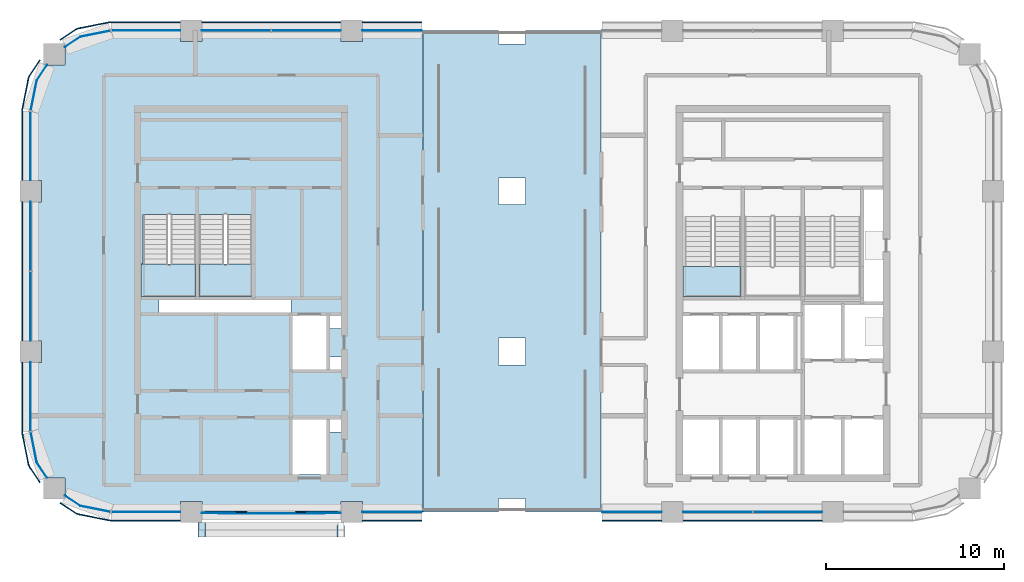
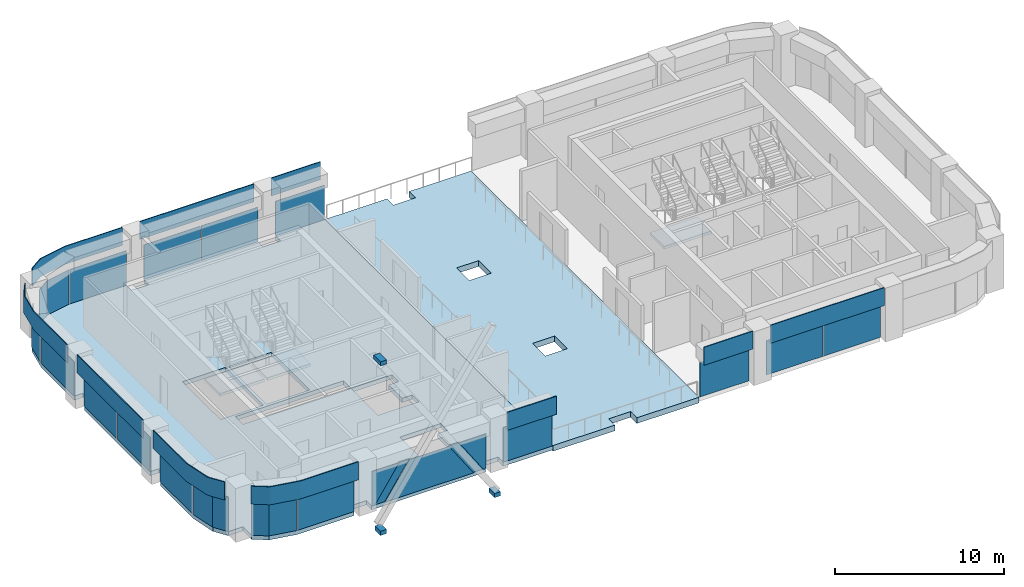
# One storey, part 4 of 11: 32 plates, 5 slabs, 3 members, 14 elements without a shape of their own.
"""IFC4 building model written with IfcOpenShell, lengths in metres."""

from ifc_helpers import new_model, si_unit, direction, frame, origin, origin_2d, place, context, subcontext, project, spatial, polyline, rectangle, outline, extrude, material, layer, layer_set, type_object, element, aggregate, save


model = new_model("IFC4")

# Units and contexts
model_context = context("Model", 3, precision=1e-05, world=origin(), true_north=direction((0.0, 1.0)))
body_context = subcontext(model_context, "Body", "Model", "MODEL_VIEW")
ifc_project = project(units=[si_unit("LENGTHUNIT", "METRE"), si_unit("AREAUNIT", "SQUARE_METRE"), si_unit("VOLUMEUNIT", "CUBIC_METRE"), si_unit("PLANEANGLEUNIT", "RADIAN"), si_unit("MASSUNIT", "GRAM", prefix="KILO")], contexts=[model_context])

# Site, building, storey
site_placement = place(None, origin())
site = spatial("IfcSite", under=ifc_project, at=site_placement, CompositionType="ELEMENT")
building_placement = place(site_placement, origin())
building = spatial("IfcBuilding", under=site, at=building_placement, Name="Tessera Arch", CompositionType="ELEMENT")
storey_placement = place(building_placement, frame((0.0, 0.0, 203.300048828125)))
storey = spatial("IfcBuildingStorey", under=building, at=storey_placement, Name="L48", CompositionType="ELEMENT", Elevation=203.300048828125)

# Members
ifc_material_1 = material(Name="Steel A572 Gr50", Category="steel")
ifc_layer_1 = layer(ifc_material_1, 0.050048828125)
ifc_layer_set_1 = layer_set([ifc_layer_1], Name="Node block Steel A572 Gr50")
member_type = type_object("IfcMemberType", Name="Node block Steel A572 Gr50", PredefinedType="PLATE", material=ifc_layer_set_1)
for number, where, z_axis, x_axis, name in (
    (1, (17.39990234375, 25.918701171875, -1.2333984375), (0.0, 0.0, 1.0), (1.0, 0.0, 0.0), "Node block seat S27.0-0 1 L48"),
    (2, (9.60009765625, 25.918701171875, -1.2333984375), (0.0, 0.0, 1.0), (1.0, 0.0, 0.0), "Node block seat S27.0-0 2 L48"),
):
    element("IfcMember", number, at=place(storey_placement, frame(where, z_axis=z_axis, x_axis=x_axis)), inside=storey, type_object=member_type, Name=name, PredefinedType="PLATE", context=body_context, shape_type="SweptSolid", body=[
        extrude(rectangle(XDim=0.406494140625, YDim=0.662841796875, at=origin_2d()), origin(), (0.0, 0.0, 1.0), 0.300048828125),
    ])
member_placement = place(storey_placement, frame((9.60009765625, 25.99365234375, 11.033203125), z_axis=(0.0, 0.0, 1.0), x_axis=(1.0, 0.0, 0.0)))
element("IfcMember", 3, at=member_placement, inside=storey, type_object=member_type, Name="Node block head S27.0-0 B L48", PredefinedType="PLATE", context=body_context, shape_type="SweptSolid", body=[
    extrude(rectangle(XDim=0.406494140625, YDim=0.812744140625, at=origin_2d()), origin(), (0.0, 0.0, 1.0), 0.300048828125),
])

# Curtain wall, plate
ifc_material_2 = material(Name="CW1 curtain wall")
curtain_wall_type_1 = type_object("IfcCurtainWallType", Name="CW1 curtain wall", PredefinedType="NOTDEFINED", material=ifc_material_2)
curtain_wall_1_placement = place(storey_placement, origin())
curtain_wall_1 = element("IfcCurtainWall", 4, at=curtain_wall_1_placement, inside=storey, type_object=curtain_wall_type_1, Name="CW1 curtain wall S27.0/1 L48", PredefinedType="NOTDEFINED")
ifc_material_3 = material(Name="Clear low-e glass", Category="glass")
ifc_material_4 = material(Name="Clear low-e glass", Category="glass")
ifc_layer_2 = layer(ifc_material_4, 0.028076171875)
ifc_layer_set_2 = layer_set([ifc_layer_2], Name="CW1 glass panel")
plate_type_1 = type_object("IfcPlateType", Name="CW1 glass panel", PredefinedType="CURTAIN_PANEL", material=ifc_layer_set_2)
plate_1_placement = place(storey_placement, frame((20.27490234375, 27.0, 0.0), z_axis=(0.0, 0.0, 1.0), x_axis=(1.0, 0.0, 0.0)))
plate_1 = element("IfcPlate", 5, at=plate_1_placement, type_object=plate_type_1, material=ifc_material_3, Name="CW1 glass panel S27.0/1 1.1.1", PredefinedType="CURTAIN_PANEL", context=body_context, shape_type="SweptSolid", body=[
    extrude(rectangle(XDim=3.35009765625, YDim=0.028076171875, at=origin_2d()), origin(), (0.0, 0.0, 1.0), 2.5),
])

curtain_wall_2_placement = place(storey_placement, origin())
curtain_wall_2 = element("IfcCurtainWall", 6, at=curtain_wall_2_placement, inside=storey, type_object=curtain_wall_type_1, Name="CW1 curtain wall N54.0/0 L48", PredefinedType="NOTDEFINED")
plate_2_placement = place(storey_placement, frame((20.27490234375, 54.0, 0.0), z_axis=(0.0, 0.0, 1.0), x_axis=(-1.0, 0.0, 0.0)))
plate_2 = element("IfcPlate", 7, at=plate_2_placement, type_object=plate_type_1, material=ifc_material_3, Name="CW1 glass panel N54.0/0 1.1.1", PredefinedType="CURTAIN_PANEL", context=body_context, shape_type="SweptSolid", body=[
    extrude(rectangle(XDim=3.35009765625, YDim=0.028076171875, at=origin_2d()), origin(), (0.0, 0.0, 1.0), 2.5),
])

# Curtain wall, plates
curtain_wall_3_placement = place(storey_placement, origin())
curtain_wall_3 = element("IfcCurtainWall", 8, at=curtain_wall_3_placement, inside=storey, type_object=curtain_wall_type_1, Name="CW1 curtain wall N54.0/1 L48", PredefinedType="NOTDEFINED")
plate_3_placement = place(storey_placement, frame((15.465087890625, 54.0, 0.0), z_axis=(0.0, 0.0, 1.0), x_axis=(-1.0, 0.0, 0.0)))
plate_3 = element("IfcPlate", 9, at=plate_3_placement, type_object=plate_type_1, material=ifc_material_3, Name="CW1 glass panel N54.0/1 1.1.1", PredefinedType="CURTAIN_PANEL", context=body_context, shape_type="SweptSolid", body=[
    extrude(rectangle(XDim=3.8701171875, YDim=0.028076171875, at=origin_2d()), origin(), (0.0, 0.0, 1.0), 2.5),
])
plate_4_placement = place(storey_placement, frame((11.534912109375, 54.0, 0.0), z_axis=(0.0, 0.0, 1.0), x_axis=(-1.0, 0.0, 0.0)))
plate_4 = element("IfcPlate", 10, at=plate_4_placement, type_object=plate_type_1, material=ifc_material_3, Name="CW1 glass panel N54.0/1 1.2.1", PredefinedType="CURTAIN_PANEL", context=body_context, shape_type="SweptSolid", body=[
    extrude(rectangle(XDim=3.8701171875, YDim=0.028076171875, at=origin_2d()), origin(), (0.0, 0.0, 1.0), 2.5),
])

curtain_wall_4_placement = place(storey_placement, origin())
curtain_wall_4 = element("IfcCurtainWall", 11, at=curtain_wall_4_placement, inside=storey, type_object=curtain_wall_type_1, Name="CW1 curtain wall W0.27/1 L48", PredefinedType="NOTDEFINED")
plate_5_placement = place(storey_placement, frame((0.0, 42.465087890625, 0.0), z_axis=(0.0, 0.0, 1.0), x_axis=(0.0, -1.0, 0.0)))
plate_5 = element("IfcPlate", 12, at=plate_5_placement, type_object=plate_type_1, material=ifc_material_3, Name="CW1 glass panel W0.27/1 1.1.1", PredefinedType="CURTAIN_PANEL", context=body_context, shape_type="SweptSolid", body=[
    extrude(rectangle(XDim=3.8701171875, YDim=0.028076171875, at=origin_2d()), origin(), (0.0, 0.0, 1.0), 2.5),
])
plate_6_placement = place(storey_placement, frame((0.0, 38.534912109375, 0.0), z_axis=(0.0, 0.0, 1.0), x_axis=(0.0, -1.0, 0.0)))
plate_6 = element("IfcPlate", 13, at=plate_6_placement, type_object=plate_type_1, material=ifc_material_3, Name="CW1 glass panel W0.27/1 1.2.1", PredefinedType="CURTAIN_PANEL", context=body_context, shape_type="SweptSolid", body=[
    extrude(rectangle(XDim=3.8701171875, YDim=0.028076171875, at=origin_2d()), origin(), (0.0, 0.0, 1.0), 2.5),
])

# Curtain wall, plate
curtain_wall_5_placement = place(storey_placement, origin())
curtain_wall_5 = element("IfcCurtainWall", 14, at=curtain_wall_5_placement, inside=storey, type_object=curtain_wall_type_1, Name="CW1 curtain wall S27.32/0 L48", PredefinedType="NOTDEFINED")
plate_7_placement = place(storey_placement, frame((33.72509765625, 27.0, 0.0), z_axis=(0.0, 0.0, 1.0), x_axis=(1.0, 0.0, 0.0)))
plate_7 = element("IfcPlate", 15, at=plate_7_placement, type_object=plate_type_1, material=ifc_material_3, Name="CW1 glass panel S27.32/0 1.1.1", PredefinedType="CURTAIN_PANEL", context=body_context, shape_type="SweptSolid", body=[
    extrude(rectangle(XDim=3.35009765625, YDim=0.028076171875, at=origin_2d()), origin(), (0.0, 0.0, 1.0), 2.5),
])

# Curtain wall, plates
curtain_wall_6_placement = place(storey_placement, origin())
curtain_wall_6 = element("IfcCurtainWall", 16, at=curtain_wall_6_placement, inside=storey, type_object=curtain_wall_type_1, Name="CW1 curtain wall S27.32/1 L48", PredefinedType="NOTDEFINED")
plate_8_placement = place(storey_placement, frame((38.534912109375, 27.0, 0.0), z_axis=(0.0, 0.0, 1.0), x_axis=(1.0, 0.0, 0.0)))
plate_8 = element("IfcPlate", 17, at=plate_8_placement, type_object=plate_type_1, material=ifc_material_3, Name="CW1 glass panel S27.32/1 1.1.1", PredefinedType="CURTAIN_PANEL", context=body_context, shape_type="SweptSolid", body=[
    extrude(rectangle(XDim=3.8701171875, YDim=0.028076171875, at=origin_2d()), origin(), (0.0, 0.0, 1.0), 2.5),
])
plate_9_placement = place(storey_placement, frame((42.465087890625, 27.0, 0.0), z_axis=(0.0, 0.0, 1.0), x_axis=(1.0, 0.0, 0.0)))
plate_9 = element("IfcPlate", 18, at=plate_9_placement, type_object=plate_type_1, material=ifc_material_3, Name="CW1 glass panel S27.32/1 1.2.1", PredefinedType="CURTAIN_PANEL", context=body_context, shape_type="SweptSolid", body=[
    extrude(rectangle(XDim=3.8701171875, YDim=0.028076171875, at=origin_2d()), origin(), (0.0, 0.0, 1.0), 2.5),
])

# Plate
ifc_material_5 = material(Name="Pale anodised aluminium panel", Category="aluminium")
ifc_layer_3 = layer(ifc_material_5, 0.06005859375)
ifc_layer_set_3 = layer_set([ifc_layer_3], Name="CW1 spandrel panel")
plate_type_2 = type_object("IfcPlateType", Name="CW1 spandrel panel", PredefinedType="CURTAIN_PANEL", material=ifc_layer_set_3)
plate_10_placement = place(storey_placement, frame((20.27490234375, 26.52001953125, 2.60009765625), z_axis=(0.0, 0.0, 1.0), x_axis=(1.0, 0.0, 0.0)))
plate_10 = element("IfcPlate", 19, at=plate_10_placement, type_object=plate_type_2, Name="CW1 spandrel panel S27.0/1", PredefinedType="CURTAIN_PANEL", context=body_context, shape_type="SweptSolid", body=[
    extrude(rectangle(XDim=3.35009765625, YDim=0.06005859375, at=origin_2d()), origin(), (0.0, 0.0, 1.0), 1.300048828125),
])

aggregate(curtain_wall_1, [plate_1, plate_10])

plate_11_placement = place(storey_placement, frame((20.27490234375, 54.47998046875, 2.60009765625), z_axis=(0.0, 0.0, 1.0), x_axis=(-1.0, 0.0, 0.0)))
plate_11 = element("IfcPlate", 20, at=plate_11_placement, type_object=plate_type_2, Name="CW1 spandrel panel N54.0/0", PredefinedType="CURTAIN_PANEL", context=body_context, shape_type="SweptSolid", body=[
    extrude(rectangle(XDim=3.35009765625, YDim=0.06005859375, at=origin_2d()), origin(), (0.0, 0.0, 1.0), 1.300048828125),
])

aggregate(curtain_wall_2, [plate_2, plate_11])

plate_12_placement = place(storey_placement, frame((13.5, 54.47998046875, 2.60009765625), z_axis=(0.0, 0.0, 1.0), x_axis=(-1.0, 0.0, 0.0)))
plate_12 = element("IfcPlate", 21, at=plate_12_placement, type_object=plate_type_2, Name="CW1 spandrel panel N54.0/1", PredefinedType="CURTAIN_PANEL", context=body_context, shape_type="SweptSolid", body=[
    extrude(rectangle(XDim=7.800048828125, YDim=0.06005859375, at=origin_2d()), origin(), (0.0, 0.0, 1.0), 1.300048828125),
])

aggregate(curtain_wall_3, [plate_3, plate_4, plate_12])

plate_13_placement = place(storey_placement, frame((-0.47998046875, 40.5, 2.60009765625), z_axis=(0.0, 0.0, 1.0), x_axis=(0.0, -1.0, 0.0)))
plate_13 = element("IfcPlate", 22, at=plate_13_placement, type_object=plate_type_2, Name="CW1 spandrel panel W0.27/1", PredefinedType="CURTAIN_PANEL", context=body_context, shape_type="SweptSolid", body=[
    extrude(rectangle(XDim=7.800048828125, YDim=0.06005859375, at=origin_2d()), origin(), (0.0, 0.0, 1.0), 1.300048828125),
])

aggregate(curtain_wall_4, [plate_5, plate_6, plate_13])

plate_14_placement = place(storey_placement, frame((33.72509765625, 26.52001953125, 2.60009765625), z_axis=(0.0, 0.0, 1.0), x_axis=(1.0, 0.0, 0.0)))
plate_14 = element("IfcPlate", 23, at=plate_14_placement, type_object=plate_type_2, Name="CW1 spandrel panel S27.32/0", PredefinedType="CURTAIN_PANEL", context=body_context, shape_type="SweptSolid", body=[
    extrude(rectangle(XDim=3.35009765625, YDim=0.06005859375, at=origin_2d()), origin(), (0.0, 0.0, 1.0), 1.300048828125),
])

aggregate(curtain_wall_5, [plate_7, plate_14])

plate_15_placement = place(storey_placement, frame((40.5, 26.52001953125, 2.60009765625), z_axis=(0.0, 0.0, 1.0), x_axis=(1.0, 0.0, 0.0)))
plate_15 = element("IfcPlate", 24, at=plate_15_placement, type_object=plate_type_2, Name="CW1 spandrel panel S27.32/1", PredefinedType="CURTAIN_PANEL", context=body_context, shape_type="SweptSolid", body=[
    extrude(rectangle(XDim=7.800048828125, YDim=0.06005859375, at=origin_2d()), origin(), (0.0, 0.0, 1.0), 1.300048828125),
])

aggregate(curtain_wall_6, [plate_8, plate_9, plate_15])

# Curtain wall, plates
ifc_material_6 = material(Name="CW2 curtain wall")
curtain_wall_type_2 = type_object("IfcCurtainWallType", Name="CW2 curtain wall", PredefinedType="NOTDEFINED", material=ifc_material_6)
curtain_wall_7_placement = place(storey_placement, origin())
curtain_wall_7 = element("IfcCurtainWall", 25, at=curtain_wall_7_placement, inside=storey, type_object=curtain_wall_type_2, Name="CW2 curtain wall N54.0/2 L48", PredefinedType="NOTDEFINED")
ifc_material_7 = material(Name="Clear low-e glass", Category="glass")
ifc_layer_4 = layer(ifc_material_7, 0.028076171875)
ifc_layer_set_4 = layer_set([ifc_layer_4], Name="CW2 glass panel")
plate_type_3 = type_object("IfcPlateType", Name="CW2 glass panel", PredefinedType="CURTAIN_PANEL", material=ifc_layer_set_4)
plate_16_placement = place(storey_placement, frame((6.469970703125, 54.0, 0.0), z_axis=(0.0, 0.0, 1.0), x_axis=(-1.0, 0.0, 0.0)))
plate_16 = element("IfcPlate", 26, at=plate_16_placement, type_object=plate_type_3, material=ifc_material_3, Name="CW2 glass panel N54.0/2 1.1", PredefinedType="CURTAIN_PANEL", context=body_context, shape_type="SweptSolid", body=[
    extrude(rectangle(XDim=3.860107421875, YDim=0.028076171875, at=origin_2d()), origin(), (0.0, 0.0, 1.0), 2.5),
])
plate_17_placement = place(storey_placement, origin())
plate_17 = element("IfcPlate", 27, at=plate_17_placement, type_object=plate_type_3, material=ifc_material_3, Name="CW2 curved glass panel N54.0/2 2.1", PredefinedType="CURTAIN_PANEL", context=body_context, shape_type="SweptSolid", body=[
    extrude(outline(polyline([(2.783447265625, 53.644287109375), (4.46337890625, 53.978515625), (4.4580078125, 54.005859375), (2.7724609375, 53.670654296875), (1.91015625, 53.094482421875), (1.92578125, 53.0712890625), (2.783447265625, 53.644287109375)])), origin(), (0.0, 0.0, 1.0), 2.5),
])

curtain_wall_8_placement = place(storey_placement, origin())
curtain_wall_8 = element("IfcCurtainWall", 28, at=curtain_wall_8_placement, inside=storey, type_object=curtain_wall_type_2, Name="CW2 curtain wall W0.27/0 L48", PredefinedType="NOTDEFINED")
plate_18_placement = place(storey_placement, frame((0.0, 47.530029296875, 0.0), z_axis=(0.0, 0.0, 1.0), x_axis=(0.0, -1.0, 0.0)))
plate_18 = element("IfcPlate", 29, at=plate_18_placement, type_object=plate_type_3, material=ifc_material_3, Name="CW2 glass panel W0.27/0 1.1", PredefinedType="CURTAIN_PANEL", context=body_context, shape_type="SweptSolid", body=[
    extrude(rectangle(XDim=3.860107421875, YDim=0.028076171875, at=origin_2d()), origin(), (0.0, 0.0, 1.0), 2.5),
])
plate_19_placement = place(storey_placement, origin())
plate_19 = element("IfcPlate", 30, at=plate_19_placement, type_object=plate_type_3, material=ifc_material_3, Name="CW2 curved glass panel W0.27/0 2.1", PredefinedType="CURTAIN_PANEL", context=body_context, shape_type="SweptSolid", body=[
    extrude(outline(polyline([(0.355712890625, 51.216552734375), (0.9287109375, 52.07421875), (0.905517578125, 52.08984375), (0.329345703125, 51.2275390625), (-0.005859375, 49.5419921875), (0.021484375, 49.53662109375), (0.355712890625, 51.216552734375)])), origin(), (0.0, 0.0, 1.0), 2.5),
])

curtain_wall_9_placement = place(storey_placement, origin())
curtain_wall_9 = element("IfcCurtainWall", 31, at=curtain_wall_9_placement, inside=storey, type_object=curtain_wall_type_2, Name="CW2 curtain wall W0.27/2 L48", PredefinedType="NOTDEFINED")
plate_20_placement = place(storey_placement, frame((0.0, 33.469970703125, 0.0), z_axis=(0.0, 0.0, 1.0), x_axis=(0.0, -1.0, 0.0)))
plate_20 = element("IfcPlate", 32, at=plate_20_placement, type_object=plate_type_3, material=ifc_material_3, Name="CW2 glass panel W0.27/2 1.1", PredefinedType="CURTAIN_PANEL", context=body_context, shape_type="SweptSolid", body=[
    extrude(rectangle(XDim=3.860107421875, YDim=0.028076171875, at=origin_2d()), origin(), (0.0, 0.0, 1.0), 2.5),
])
plate_21_placement = place(storey_placement, origin())
plate_21 = element("IfcPlate", 33, at=plate_21_placement, type_object=plate_type_3, material=ifc_material_3, Name="CW2 curved glass panel W0.27/2 2.1", PredefinedType="CURTAIN_PANEL", context=body_context, shape_type="SweptSolid", body=[
    extrude(outline(polyline([(0.355712890625, 29.783447265625), (0.021484375, 31.46337890625), (-0.005859375, 31.4580078125), (0.329345703125, 29.7724609375), (0.905517578125, 28.91015625), (0.9287109375, 28.92578125), (0.355712890625, 29.783447265625)])), origin(), (0.0, 0.0, 1.0), 2.5),
])

curtain_wall_10_placement = place(storey_placement, origin())
curtain_wall_10 = element("IfcCurtainWall", 34, at=curtain_wall_10_placement, inside=storey, type_object=curtain_wall_type_2, Name="CW2 curtain wall S27.0/2 L48", PredefinedType="NOTDEFINED")
plate_22_placement = place(storey_placement, frame((6.469970703125, 27.0, 0.0), z_axis=(0.0, 0.0, 1.0), x_axis=(1.0, 0.0, 0.0)))
plate_22 = element("IfcPlate", 35, at=plate_22_placement, type_object=plate_type_3, material=ifc_material_3, Name="CW2 glass panel S27.0/2 1.1", PredefinedType="CURTAIN_PANEL", context=body_context, shape_type="SweptSolid", body=[
    extrude(rectangle(XDim=3.860107421875, YDim=0.028076171875, at=origin_2d()), origin(), (0.0, 0.0, 1.0), 2.5),
])
plate_23_placement = place(storey_placement, origin())
plate_23 = element("IfcPlate", 36, at=plate_23_placement, type_object=plate_type_3, material=ifc_material_3, Name="CW2 curved glass panel S27.0/2 2.1", PredefinedType="CURTAIN_PANEL", context=body_context, shape_type="SweptSolid", body=[
    extrude(outline(polyline([(2.783447265625, 27.355712890625), (1.92578125, 27.9287109375), (1.91015625, 27.905517578125), (2.7724609375, 27.329345703125), (4.4580078125, 26.994140625), (4.46337890625, 27.021484375), (2.783447265625, 27.355712890625)])), origin(), (0.0, 0.0, 1.0), 2.5),
])

# Plate
ifc_material_8 = material(Name="Pale anodised aluminium panel", Category="aluminium")
ifc_layer_5 = layer(ifc_material_8, 0.06005859375)
ifc_layer_set_5 = layer_set([ifc_layer_5], Name="CW2 spandrel panel")
plate_type_4 = type_object("IfcPlateType", Name="CW2 spandrel panel", PredefinedType="CURTAIN_PANEL", material=ifc_layer_set_5)
plate_24_placement = place(storey_placement, frame((0.0, 0.0, 2.599853515625)))
plate_24 = element("IfcPlate", 37, at=plate_24_placement, type_object=plate_type_4, Name="CW2 spandrel panel N54.0/2", PredefinedType="CURTAIN_PANEL", context=body_context, shape_type="SweptSolid", body=[
    extrude(outline(polyline([(4.500732421875, 54.449951171875), (8.39990234375, 54.449951171875), (8.39990234375, 54.510009765625), (4.499267578125, 54.510009765625), (4.449951171875, 54.507568359375), (4.401123046875, 54.500244140625), (2.677734375, 54.157470703125), (2.6298828125, 54.1455078125), (2.582763671875, 54.128662109375), (2.537353515625, 54.107421875), (2.4951171875, 54.08203125), (1.634765625, 53.5068359375), (1.66796875, 53.45703125), (2.52734375, 54.03125), (2.565673828125, 54.054443359375), (2.605712890625, 54.0732421875), (2.647216796875, 54.088134765625), (2.69091796875, 54.09912109375), (4.411376953125, 54.441162109375), (4.455810546875, 54.44775390625), (4.500732421875, 54.449951171875)])), origin(), (0.0, 0.0, 1.0), 1.300048828125),
])

aggregate(curtain_wall_7, [plate_16, plate_17, plate_24])

plate_25_placement = place(storey_placement, frame((0.0, 0.0, 2.599853515625)))
plate_25 = element("IfcPlate", 38, at=plate_25_placement, type_object=plate_type_4, Name="CW2 spandrel panel W0.27/0", PredefinedType="CURTAIN_PANEL", context=body_context, shape_type="SweptSolid", body=[
    extrude(outline(polyline([(-0.03125, 51.47265625), (0.54296875, 52.33203125), (0.4931640625, 52.365234375), (-0.08203125, 51.5048828125), (-0.107421875, 51.462646484375), (-0.128662109375, 51.417236328125), (-0.1455078125, 51.3701171875), (-0.157470703125, 51.322265625), (-0.500244140625, 49.598876953125), (-0.507568359375, 49.550048828125), (-0.510009765625, 49.500732421875), (-0.510009765625, 45.60009765625), (-0.449951171875, 45.60009765625), (-0.449951171875, 49.499267578125), (-0.44775390625, 49.544189453125), (-0.441162109375, 49.588623046875), (-0.09912109375, 51.30908203125), (-0.088134765625, 51.352783203125), (-0.0732421875, 51.394287109375), (-0.054443359375, 51.434326171875), (-0.03125, 51.47265625)])), origin(), (0.0, 0.0, 1.0), 1.300048828125),
])

aggregate(curtain_wall_8, [plate_18, plate_19, plate_25])

plate_26_placement = place(storey_placement, frame((0.0, 0.0, 2.599853515625)))
plate_26 = element("IfcPlate", 39, at=plate_26_placement, type_object=plate_type_4, Name="CW2 spandrel panel W0.27/2", PredefinedType="CURTAIN_PANEL", context=body_context, shape_type="SweptSolid", body=[
    extrude(outline(polyline([(-0.449951171875, 31.500732421875), (-0.449951171875, 35.39990234375), (-0.510009765625, 35.39990234375), (-0.510009765625, 31.499267578125), (-0.507568359375, 31.449951171875), (-0.500244140625, 31.401123046875), (-0.157470703125, 29.677734375), (-0.1455078125, 29.6298828125), (-0.128662109375, 29.582763671875), (-0.107421875, 29.537353515625), (-0.08203125, 29.4951171875), (0.4931640625, 28.634765625), (0.54296875, 28.66796875), (-0.03125, 29.52734375), (-0.054443359375, 29.565673828125), (-0.0732421875, 29.605712890625), (-0.088134765625, 29.647216796875), (-0.09912109375, 29.69091796875), (-0.441162109375, 31.411376953125), (-0.44775390625, 31.455810546875), (-0.449951171875, 31.500732421875)])), origin(), (0.0, 0.0, 1.0), 1.300048828125),
])

aggregate(curtain_wall_9, [plate_20, plate_21, plate_26])

plate_27_placement = place(storey_placement, frame((0.0, 0.0, 2.599853515625)))
plate_27 = element("IfcPlate", 40, at=plate_27_placement, type_object=plate_type_4, Name="CW2 spandrel panel S27.0/2", PredefinedType="CURTAIN_PANEL", context=body_context, shape_type="SweptSolid", body=[
    extrude(outline(polyline([(2.52734375, 26.96875), (1.66796875, 27.54296875), (1.634765625, 27.4931640625), (2.4951171875, 26.91796875), (2.537353515625, 26.892578125), (2.582763671875, 26.871337890625), (2.6298828125, 26.8544921875), (2.677734375, 26.842529296875), (4.401123046875, 26.499755859375), (4.449951171875, 26.492431640625), (4.499267578125, 26.489990234375), (8.39990234375, 26.489990234375), (8.39990234375, 26.550048828125), (4.500732421875, 26.550048828125), (4.455810546875, 26.55224609375), (4.411376953125, 26.558837890625), (2.69091796875, 26.90087890625), (2.647216796875, 26.911865234375), (2.605712890625, 26.9267578125), (2.565673828125, 26.945556640625), (2.52734375, 26.96875)])), origin(), (0.0, 0.0, 1.0), 1.300048828125),
])

aggregate(curtain_wall_10, [plate_22, plate_23, plate_27])

# Curtain wall, plates
ifc_material_9 = material(Name="CW3 curtain wall")
curtain_wall_type_3 = type_object("IfcCurtainWallType", Name="CW3 curtain wall", PredefinedType="NOTDEFINED", material=ifc_material_9)
curtain_wall_11_placement = place(storey_placement, origin())
curtain_wall_11 = element("IfcCurtainWall", 41, at=curtain_wall_11_placement, inside=storey, type_object=curtain_wall_type_3, Name="CW3 curtain wall S27.0/0 L48", PredefinedType="NOTDEFINED")
ifc_material_10 = material(Name="Pale anodised aluminium panel", Category="aluminium")
ifc_layer_6 = layer(ifc_material_10, 0.06005859375)
ifc_layer_set_6 = layer_set([ifc_layer_6], Name="CW3 diagonal panel")
plate_type_5 = type_object("IfcPlateType", Name="CW3 diagonal panel", PredefinedType="CURTAIN_PANEL", material=ifc_layer_set_6)
plate_28_placement = place(storey_placement, frame((15.546875, 26.969970703125, 2.5), z_axis=(0.0, -1.0, 0.0), x_axis=(-1.0, 0.0, 0.0)))
plate_28 = element("IfcPlate", 42, at=plate_28_placement, type_object=plate_type_5, Name="CW3 diagonal panel S27.0/0 1", PredefinedType="CURTAIN_PANEL", context=body_context, shape_type="SweptSolid", body=[
    extrude(outline(polyline([(0.0, 0.0), (0.693603515625, 0.0), (-0.972900390625, 2.5), (-1.66650390625, 2.5), (0.0, 0.0)])), origin(), (0.0, 0.0, -1.0), 0.06005859375),
])
plate_29_placement = place(storey_placement, frame((12.146728515625, 26.969970703125, 2.5), z_axis=(0.0, -1.0, 0.0), x_axis=(-1.0, 0.0, 0.0)))
plate_29 = element("IfcPlate", 43, at=plate_29_placement, type_object=plate_type_5, Name="CW3 diagonal panel S27.0/0 2", PredefinedType="CURTAIN_PANEL", context=body_context, shape_type="SweptSolid", body=[
    extrude(outline(polyline([(0.0, 0.0), (0.693603515625, 0.0), (2.360107421875, 2.5), (1.66650390625, 2.5), (0.0, 0.0)])), origin(), (0.0, 0.0, -1.0), 0.06005859375),
])
ifc_material_11 = material(Name="Clear low-e glass", Category="glass")
ifc_layer_7 = layer(ifc_material_11, 0.028076171875)
ifc_layer_set_7 = layer_set([ifc_layer_7], Name="CW3 glass panel")
plate_type_6 = type_object("IfcPlateType", Name="CW3 glass panel", PredefinedType="CURTAIN_PANEL", material=ifc_layer_set_7)
plate_30_placement = place(storey_placement, frame((9.60009765625, 26.94189453125, 0.0), z_axis=(0.0, -1.0, 0.0), x_axis=(1.0, 0.0, 0.0)))
plate_30 = element("IfcPlate", 44, at=plate_30_placement, type_object=plate_type_6, material=ifc_material_3, Name="CW3 triangulated glass panel S27.0/0 1", PredefinedType="CURTAIN_PANEL", context=body_context, shape_type="SweptSolid", body=[
    extrude(outline(polyline([(0.0, 0.0), (0.1865234375, 0.0), (1.85302734375, 2.5), (0.0, 2.5), (0.0, 0.0)])), origin(), (0.0, 0.0, -1.0), 0.028076171875),
])
plate_31_placement = place(storey_placement, frame((14.853271484375, 26.9140625, 2.5), z_axis=(0.0, -1.0, 0.0), x_axis=(-1.0, 0.0, 0.0)))
plate_31 = element("IfcPlate", 45, at=plate_31_placement, type_object=plate_type_6, material=ifc_material_3, Name="CW3 triangulated glass panel S27.0/0 2", PredefinedType="CURTAIN_PANEL", context=body_context, shape_type="SweptSolid", body=[
    extrude(outline(polyline([(0.0, 0.0), (2.70654296875, 0.0), (4.373046875, 2.5), (-1.66650390625, 2.5), (0.0, 0.0)])), origin(), (0.0, 0.0, -1.0), 0.028076171875),
])
plate_32_placement = place(storey_placement, frame((17.39990234375, 26.94189453125, 2.5), z_axis=(0.0, -1.0, 0.0), x_axis=(-1.0, 0.0, 0.0)))
plate_32 = element("IfcPlate", 46, at=plate_32_placement, type_object=plate_type_6, material=ifc_material_3, Name="CW3 triangulated glass panel S27.0/0 3", PredefinedType="CURTAIN_PANEL", context=body_context, shape_type="SweptSolid", body=[
    extrude(outline(polyline([(0.0, 0.0), (1.85302734375, 0.0), (0.1865234375, 2.5), (0.0, 2.5), (0.0, 0.0)])), origin(), (0.0, 0.0, -1.0), 0.028076171875),
])
aggregate(curtain_wall_11, [plate_30, plate_31, plate_32, plate_28, plate_29])

# Slab
ifc_material_12 = material(Name="Concrete C40/50", Category="concrete")
ifc_layer_8 = layer(ifc_material_12, 0.300048828125)
ifc_layer_set_8 = layer_set([ifc_layer_8], Name="Floor slab 300 Concrete C40/50")
slab_type_1 = type_object("IfcSlabType", Name="Floor slab 300 Concrete C40/50", PredefinedType="FLOOR", material=ifc_layer_set_8)
slab_1_placement = place(storey_placement, frame((0.0, 0.0, -0.300048828125)))
element("IfcSlab", 47, at=slab_1_placement, inside=storey, type_object=slab_type_1, Name="Floor slab L48 1", PredefinedType="FLOOR", context=body_context, shape_type="SweptSolid", body=[
    extrude(outline(polyline([(1.91796875, 27.9169921875), (1.91796875, 28.91796875), (0.9169921875, 28.91796875), (0.342529296875, 29.77783203125), (0.0, 31.5), (0.0, 35.39990234375), (0.60009765625, 35.39990234375), (0.60009765625, 36.60009765625), (0.0, 36.60009765625), (0.0, 44.39990234375), (0.60009765625, 44.39990234375), (0.60009765625, 45.60009765625), (0.0, 45.60009765625), (0.0, 49.5), (0.342529296875, 51.22216796875), (0.9169921875, 52.08203125), (1.91796875, 52.08203125), (1.91796875, 53.0830078125), (2.77783203125, 53.657470703125), (4.5, 54.0), (8.39990234375, 54.0), (8.39990234375, 53.39990234375), (9.60009765625, 53.39990234375), (9.60009765625, 54.0), (17.39990234375, 54.0), (17.39990234375, 53.39990234375), (18.60009765625, 53.39990234375), (18.60009765625, 54.0), (22.0, 54.0), (22.0, 27.0), (18.60009765625, 27.0), (18.60009765625, 27.60009765625), (17.39990234375, 27.60009765625), (17.39990234375, 27.0), (9.60009765625, 27.0), (9.60009765625, 27.60009765625), (8.39990234375, 27.60009765625), (8.39990234375, 27.0), (4.5, 27.0), (2.77783203125, 27.342529296875), (1.91796875, 27.9169921875)]), holes=[polyline([(14.60009765625, 29.10009765625), (16.699951171875, 29.10009765625), (16.699951171875, 31.5), (17.39990234375, 31.5), (17.39990234375, 32.300048828125), (16.699951171875, 32.300048828125), (14.60009765625, 32.300048828125), (14.60009765625, 29.10009765625)]), polyline([(17.39990234375, 35.699951171875), (16.699951171875, 35.699951171875), (16.699951171875, 37.300048828125), (17.39990234375, 37.300048828125), (17.39990234375, 38.10009765625), (16.699951171875, 38.10009765625), (14.60498046875, 38.10009765625), (14.60498046875, 38.10498046875), (14.60009765625, 38.10498046875), (14.60009765625, 39.0), (7.199951171875, 39.0), (7.199951171875, 38.10009765625), (14.594970703125, 38.10009765625), (14.594970703125, 38.094970703125), (14.60009765625, 38.094970703125), (14.60009765625, 34.89990234375), (16.699951171875, 34.89990234375), (17.39990234375, 34.89990234375), (17.39990234375, 35.699951171875)]), polyline([(6.300048828125, 43.68994140625), (6.300048828125, 39.199951171875), (9.25, 39.199951171875), (9.25, 43.68994140625), (7.85009765625, 43.68994140625), (7.85009765625, 43.699951171875), (7.699951171875, 43.699951171875), (7.699951171875, 43.68994140625), (6.300048828125, 43.68994140625)]), polyline([(9.449951171875, 43.68994140625), (9.449951171875, 39.199951171875), (12.39990234375, 39.199951171875), (12.39990234375, 43.68994140625), (11.0, 43.68994140625), (11.0, 43.699951171875), (10.85009765625, 43.699951171875), (10.85009765625, 43.68994140625), (9.449951171875, 43.68994140625)])]), origin(), (0.0, 0.0, 1.0), 0.300048828125),
])

# Stair, slab
ifc_material_13 = material(Name="Concrete C40/50", Category="concrete")
stair_type_1 = type_object("IfcStairType", Name="Dogleg stair 1520", PredefinedType="HALF_TURN_STAIR", material=ifc_material_13)
stair_1_placement = place(storey_placement, origin())
stair_1 = element("IfcStair", 48, at=stair_1_placement, inside=storey, type_object=stair_type_1, Name="L48 S1a", PredefinedType="HALF_TURN_STAIR")
ifc_material_14 = material(Name="Concrete C40/50", Category="concrete")
ifc_layer_9 = layer(ifc_material_14, 0.300048828125)
ifc_layer_set_9 = layer_set([ifc_layer_9], Name="Stair landing 300")
slab_type_2 = type_object("IfcSlabType", Name="Stair landing 300", PredefinedType="LANDING", material=ifc_layer_set_9)
slab_2_placement = place(storey_placement, frame((0.0, 0.0, 1.75)))
slab_2 = element("IfcSlab", 49, at=slab_2_placement, type_object=slab_type_2, Name="S1a landing 1", PredefinedType="LANDING", context=body_context, shape_type="SweptSolid", body=[
    extrude(outline(polyline([(36.60009765625, 40.780029296875), (36.60009765625, 39.10009765625), (39.85009765625, 39.10009765625), (39.85009765625, 40.780029296875), (36.60009765625, 40.780029296875)])), origin(), (0.0, 0.0, 1.0), 0.199951171875),
])
aggregate(stair_1, [slab_2])

ifc_material_15 = material(Name="Concrete C40/50", Category="concrete")
stair_type_2 = type_object("IfcStairType", Name="Dogleg stair 1400", PredefinedType="HALF_TURN_STAIR", material=ifc_material_15)
stair_2_placement = place(storey_placement, origin())
stair_2 = element("IfcStair", 50, at=stair_2_placement, inside=storey, type_object=stair_type_2, Name="L48 S2a", PredefinedType="HALF_TURN_STAIR")
slab_3_placement = place(storey_placement, frame((0.0, 0.0, 1.75)))
slab_3 = element("IfcSlab", 51, at=slab_3_placement, type_object=slab_type_2, Name="S2a landing 1", PredefinedType="LANDING", context=body_context, shape_type="SweptSolid", body=[
    extrude(outline(polyline([(6.199951171875, 40.89990234375), (6.199951171875, 39.10009765625), (9.25, 39.10009765625), (9.25, 40.89990234375), (6.199951171875, 40.89990234375)])), origin(), (0.0, 0.0, 1.0), 0.199951171875),
])
aggregate(stair_2, [slab_3])

stair_3_placement = place(storey_placement, origin())
stair_3 = element("IfcStair", 52, at=stair_3_placement, inside=storey, type_object=stair_type_2, Name="L48 S2b", PredefinedType="HALF_TURN_STAIR")
slab_4_placement = place(storey_placement, frame((0.0, 0.0, 1.75)))
slab_4 = element("IfcSlab", 53, at=slab_4_placement, type_object=slab_type_2, Name="S2b landing 1", PredefinedType="LANDING", context=body_context, shape_type="SweptSolid", body=[
    extrude(outline(polyline([(9.449951171875, 40.89990234375), (9.449951171875, 39.10009765625), (12.39990234375, 39.10009765625), (12.39990234375, 40.89990234375), (9.449951171875, 40.89990234375)])), origin(), (0.0, 0.0, 1.0), 0.199951171875),
])
aggregate(stair_3, [slab_4])

# Slab
ifc_material_16 = material(Name="Concrete C40/50", Category="concrete")
ifc_layer_10 = layer(ifc_material_16, 0.409912109375)
ifc_layer_set_10 = layer_set([ifc_layer_10], Name="Terrace slab 410 Concrete C40/50")
slab_type_3 = type_object("IfcSlabType", Name="Terrace slab 410 Concrete C40/50", PredefinedType="ROOF", material=ifc_layer_set_10)
slab_5_placement = place(storey_placement, frame((0.0, 0.0, -0.41015625)))
element("IfcSlab", 54, at=slab_5_placement, inside=storey, type_object=slab_type_3, Name="Terrace slab L48 1.1", PredefinedType="ROOF", context=body_context, shape_type="SweptSolid", body=[
    extrude(outline(polyline([(31.990966796875, 54.0), (31.991943359375, 53.999755859375), (31.992919921875, 53.99951171875), (31.993896484375, 53.999267578125), (31.99462890625, 53.998779296875), (31.99560546875, 53.998291015625), (31.996337890625, 53.997802734375), (31.9970703125, 53.9970703125), (31.997802734375, 53.996337890625), (31.998291015625, 53.99560546875), (31.998779296875, 53.99462890625), (31.999267578125, 53.993896484375), (31.99951171875, 53.992919921875), (31.999755859375, 53.991943359375), (32.0, 53.990966796875), (32.0, 53.989990234375), (32.0, 27.010009765625), (32.0, 27.009033203125), (31.999755859375, 27.008056640625), (31.99951171875, 27.007080078125), (31.999267578125, 27.006103515625), (31.998779296875, 27.00537109375), (31.998291015625, 27.00439453125), (31.997802734375, 27.003662109375), (31.9970703125, 27.0029296875), (31.996337890625, 27.002197265625), (31.99560546875, 27.001708984375), (31.99462890625, 27.001220703125), (31.993896484375, 27.000732421875), (31.992919921875, 27.00048828125), (31.991943359375, 27.000244140625), (31.990966796875, 27.0), (31.989990234375, 27.0), (27.75, 27.0), (27.75, 27.75), (26.25, 27.75), (26.25, 27.0), (22.010009765625, 27.0), (22.009033203125, 27.0), (22.008056640625, 27.000244140625), (22.007080078125, 27.00048828125), (22.006103515625, 27.000732421875), (22.00537109375, 27.001220703125), (22.00439453125, 27.001708984375), (22.003662109375, 27.002197265625), (22.0029296875, 27.0029296875), (22.002197265625, 27.003662109375), (22.001708984375, 27.00439453125), (22.001220703125, 27.00537109375), (22.000732421875, 27.006103515625), (22.00048828125, 27.007080078125), (22.000244140625, 27.008056640625), (22.0, 27.009033203125), (22.0, 27.010009765625), (22.0, 53.989990234375), (22.0, 53.990966796875), (22.000244140625, 53.991943359375), (22.00048828125, 53.992919921875), (22.000732421875, 53.993896484375), (22.001220703125, 53.99462890625), (22.001708984375, 53.99560546875), (22.002197265625, 53.996337890625), (22.0029296875, 53.9970703125), (22.003662109375, 53.997802734375), (22.00439453125, 53.998291015625), (22.00537109375, 53.998779296875), (22.006103515625, 53.999267578125), (22.007080078125, 53.99951171875), (22.008056640625, 53.999755859375), (22.009033203125, 54.0), (22.010009765625, 54.0), (26.25, 54.0), (26.25, 53.25), (27.75, 53.25), (27.75, 54.0), (31.989990234375, 54.0), (31.990966796875, 54.0)]), holes=[polyline([(27.75, 45.75), (26.25, 45.75), (26.25, 44.25), (27.75, 44.25), (27.75, 45.75)]), polyline([(27.75, 35.25), (27.75, 36.75), (26.25, 36.75), (26.25, 35.25), (27.75, 35.25)])]), origin(), (0.0, 0.0, 1.0), 0.41015625),
])

save(model, "model.ifc")
